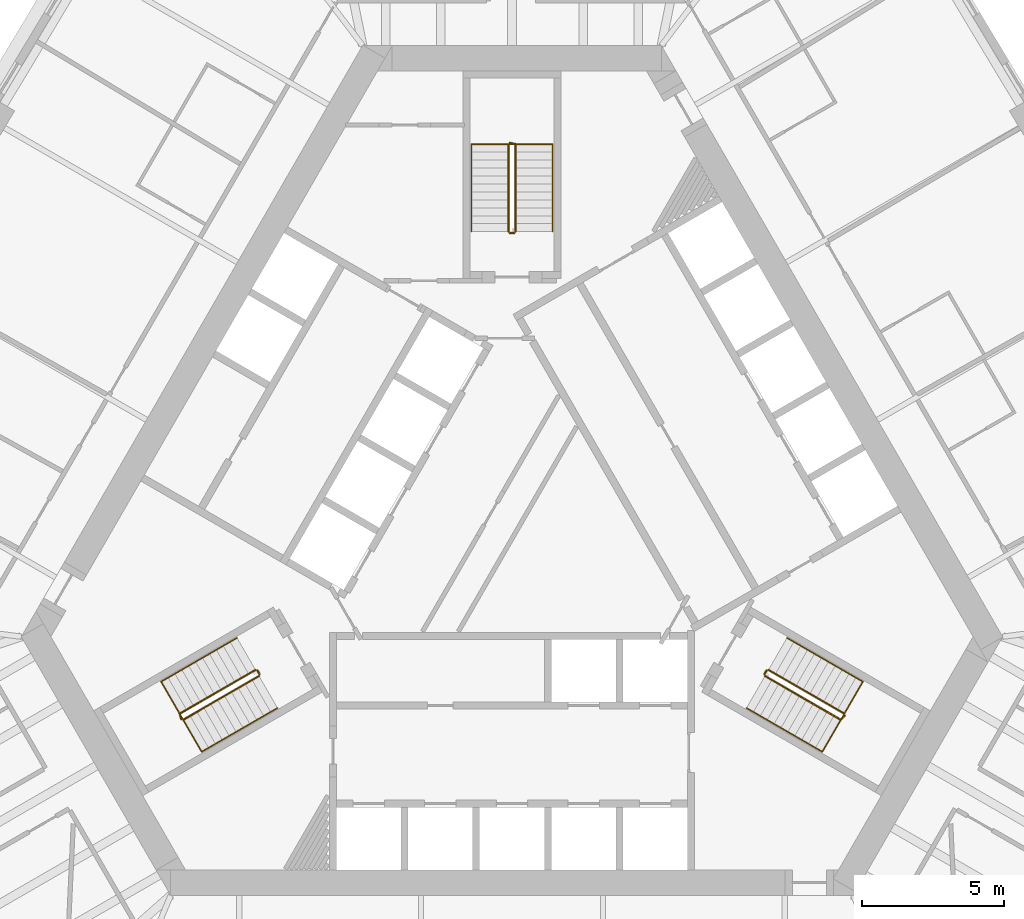
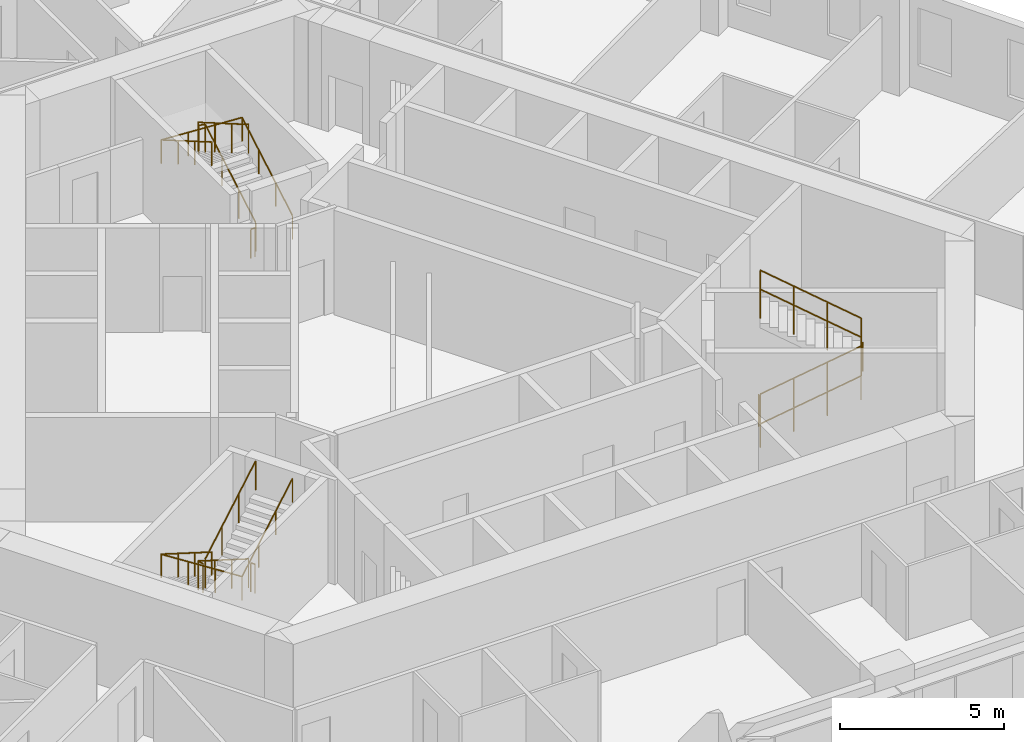
# One storey, part 12 of 12: 12 railings.
"""IFC4 building model written with IfcOpenShell, lengths in metres."""

from ifc_helpers import new_model, si_unit, direction, frame, origin, origin_2d, place, context, subcontext, project, spatial, circle, extrude, material, type_object, element, save


model = new_model("IFC4")

# Units and contexts
model_context = context("Model", 3, precision=1e-05, world=origin(), true_north=direction((0.0, 1.0)))
body_context = subcontext(model_context, "Body", "Model", "MODEL_VIEW")
ifc_project = project(units=[si_unit("LENGTHUNIT", "METRE"), si_unit("AREAUNIT", "SQUARE_METRE"), si_unit("VOLUMEUNIT", "CUBIC_METRE"), si_unit("PLANEANGLEUNIT", "RADIAN"), si_unit("MASSUNIT", "GRAM", prefix="KILO")], contexts=[model_context])

# Site, building, storey
site_placement = place(None, origin())
site = spatial("IfcSite", under=ifc_project, at=site_placement, CompositionType="ELEMENT")
building_placement = place(site_placement, origin())
building = spatial("IfcBuilding", under=site, at=building_placement, Name="Mestral Congress Tower", CompositionType="ELEMENT")
storey_placement = place(building_placement, frame((0.0, 0.0, 70.5)))
storey = spatial("IfcBuildingStorey", under=building, at=storey_placement, Name="L16", CompositionType="ELEMENT", Elevation=70.5)

# Railings
ifc_material_1 = material(Name="Steel balustrade", Category="steel")
railing_type_1 = type_object("IfcRailingType", Name="Stair guard 1100", PredefinedType="GUARDRAIL", material=ifc_material_1)
railing_1_placement = place(storey_placement, frame((8.90087890625, -5.283203125, 0.16259765625)))
element("IfcRailing", 1, at=railing_1_placement, inside=storey, type_object=railing_type_1, Name="L16 ST1 stair guard 1", PredefinedType="GUARDRAIL", context=body_context, shape_type="SweptSolid", body=[
    extrude(circle(Radius=0.02392578125, at=origin_2d()), frame((0.0, 0.0, 1.076171875), z_axis=(0.749019742845, -0.432477486304, 0.501928927906), x_axis=(0.500026652407, 0.866010015463, 0.0)), (0.0, 0.0, 1.0), 3.56103515625),
    extrude(circle(Radius=0.02392578125, at=origin_2d()), frame((2.667236328125, -1.5400390625, 2.86328125), z_axis=(0.695164929852, 0.718850276695, 0.0), x_axis=(-0.718850276695, 0.695164929852, 0.0)), (0.0, 0.0, 1.0), 0.2060546875),
    extrude(circle(Radius=0.02099609375, at=origin_2d()), origin(), (0.0, 0.0, 1.0), 1.052001953125),
    extrude(circle(Radius=0.02099609375, at=origin_2d()), frame((0.88916015625, -0.513427734375, 0.595703125)), (0.0, 0.0, 1.0), 1.052001953125),
    extrude(circle(Radius=0.02099609375, at=origin_2d()), frame((1.778076171875, -1.026611328125, 1.191650390625)), (0.0, 0.0, 1.0), 1.052001953125),
    extrude(circle(Radius=0.02099609375, at=origin_2d()), frame((2.667236328125, -1.5400390625, 1.787353515625)), (0.0, 0.0, 1.0), 1.052001953125),
    extrude(circle(Radius=0.02099609375, at=origin_2d()), frame((2.810546875, -1.391845703125, 1.787353515625)), (0.0, 0.0, 1.0), 1.052001953125),
])
railing_2_placement = place(storey_placement, frame((11.693115234375, -6.606689453125, 2.112548828125)))
element("IfcRailing", 2, at=railing_2_placement, inside=storey, type_object=railing_type_1, Name="L16 ST1 stair guard 2", PredefinedType="GUARDRAIL", context=body_context, shape_type="SweptSolid", body=[
    extrude(circle(Radius=0.02392578125, at=origin_2d()), frame((0.0, 0.0, 1.076171875), z_axis=(-0.749019742845, 0.432477486304, 0.501928927906), x_axis=(-0.500026652407, -0.866010015463, 0.0)), (0.0, 0.0, 1.0), 3.56103515625),
    extrude(circle(Radius=0.02099609375, at=origin_2d()), origin(), (0.0, 0.0, 1.0), 1.052001953125),
    extrude(circle(Radius=0.02099609375, at=origin_2d()), frame((-0.88916015625, 0.513427734375, 0.595703125)), (0.0, 0.0, 1.0), 1.052001953125),
    extrude(circle(Radius=0.02099609375, at=origin_2d()), frame((-1.778076171875, 1.026611328125, 1.191650390625)), (0.0, 0.0, 1.0), 1.052001953125),
    extrude(circle(Radius=0.02099609375, at=origin_2d()), frame((-2.667236328125, 1.5400390625, 1.787353515625)), (0.0, 0.0, 1.0), 1.052001953125),
])
railing_3_placement = place(storey_placement, frame((8.882568359375, -5.21484375, 0.0)))
element("IfcRailing", 3, at=railing_3_placement, inside=storey, type_object=railing_type_1, Name="L16 ST1 stair guard 3", PredefinedType="GUARDRAIL", context=body_context, shape_type="SweptSolid", body=[
    extrude(circle(Radius=0.02392578125, at=origin_2d()), frame((0.0, 0.0, 1.076171875), z_axis=(0.499816412211, 0.866131372301, 0.0), x_axis=(-0.866131372301, 0.499816412211, 0.0)), (0.0, 0.0, 1.0), 0.14990234375),
    extrude(circle(Radius=0.02099609375, at=origin_2d()), origin(), (0.0, 0.0, 1.0), 1.052001953125),
    extrude(circle(Radius=0.02099609375, at=origin_2d()), frame((0.074951171875, 0.1298828125, 0.0)), (0.0, 0.0, 1.0), 1.052001953125),
])
railing_4_placement = place(storey_placement, frame((0.125, 10.35009765625, 0.16259765625)))
element("IfcRailing", 4, at=railing_4_placement, inside=storey, type_object=railing_type_1, Name="L16 ST2 stair guard 1", PredefinedType="GUARDRAIL", context=body_context, shape_type="SweptSolid", body=[
    extrude(circle(Radius=0.02392578125, at=origin_2d()), frame((0.0, 0.0, 1.076171875), z_axis=(0.0, 0.864903211148, 0.501938676878), x_axis=(-1.0, 0.0, 0.0)), (0.0, 0.0, 1.0), 3.560791015625),
    extrude(circle(Radius=0.02392578125, at=origin_2d()), frame((0.0, 3.079833984375, 2.86328125), z_axis=(-0.970072785993, 0.242814311512, 0.0), x_axis=(-0.242814311512, -0.970072785993, 0.0)), (0.0, 0.0, 1.0), 0.2060546875),
    extrude(circle(Radius=0.02099609375, at=origin_2d()), origin(), (0.0, 0.0, 1.0), 1.052001953125),
    extrude(circle(Radius=0.02099609375, at=origin_2d()), frame((0.0, 1.026611328125, 0.595703125)), (0.0, 0.0, 1.0), 1.052001953125),
    extrude(circle(Radius=0.02099609375, at=origin_2d()), frame((0.0, 2.05322265625, 1.191650390625)), (0.0, 0.0, 1.0), 1.052001953125),
    extrude(circle(Radius=0.02099609375, at=origin_2d()), frame((0.0, 3.079833984375, 1.787353515625)), (0.0, 0.0, 1.0), 1.052001953125),
    extrude(circle(Radius=0.02099609375, at=origin_2d()), frame((-0.199951171875, 3.1298828125, 1.787353515625)), (0.0, 0.0, 1.0), 1.052001953125),
])
railing_5_placement = place(storey_placement, frame((-0.125, 13.429931640625, 2.112548828125)))
element("IfcRailing", 5, at=railing_5_placement, inside=storey, type_object=railing_type_1, Name="L16 ST2 stair guard 2", PredefinedType="GUARDRAIL", context=body_context, shape_type="SweptSolid", body=[
    extrude(circle(Radius=0.02392578125, at=origin_2d()), frame((0.0, 0.0, 1.076171875), z_axis=(0.0, -0.864903211148, 0.501938676878), x_axis=(1.0, 0.0, 0.0)), (0.0, 0.0, 1.0), 3.560791015625),
    extrude(circle(Radius=0.02099609375, at=origin_2d()), origin(), (0.0, 0.0, 1.0), 1.052001953125),
    extrude(circle(Radius=0.02099609375, at=origin_2d()), frame((0.0, -1.026611328125, 0.595703125)), (0.0, 0.0, 1.0), 1.052001953125),
    extrude(circle(Radius=0.02099609375, at=origin_2d()), frame((0.0, -2.05322265625, 1.191650390625)), (0.0, 0.0, 1.0), 1.052001953125),
    extrude(circle(Radius=0.02099609375, at=origin_2d()), frame((0.0, -3.079833984375, 1.787353515625)), (0.0, 0.0, 1.0), 1.052001953125),
])
railing_6_placement = place(storey_placement, frame((0.074951171875, 10.300048828125, 0.0)))
element("IfcRailing", 6, at=railing_6_placement, inside=storey, type_object=railing_type_1, Name="L16 ST2 stair guard 3", PredefinedType="GUARDRAIL", context=body_context, shape_type="SweptSolid", body=[
    extrude(circle(Radius=0.02392578125, at=origin_2d()), frame((0.0, 0.0, 1.076171875), z_axis=(-1.0, 0.0, 0.0), x_axis=(0.0, -1.0, 0.0)), (0.0, 0.0, 1.0), 0.14990234375),
    extrude(circle(Radius=0.02099609375, at=origin_2d()), origin(), (0.0, 0.0, 1.0), 1.052001953125),
    extrude(circle(Radius=0.02099609375, at=origin_2d()), frame((-0.14990234375, 0.0, 0.0)), (0.0, 0.0, 1.0), 1.052001953125),
])
railing_7_placement = place(storey_placement, frame((-9.02587890625, -5.066650390625, 0.16259765625)))
element("IfcRailing", 7, at=railing_7_placement, inside=storey, type_object=railing_type_1, Name="L16 ST3 stair guard 1", PredefinedType="GUARDRAIL", context=body_context, shape_type="SweptSolid", body=[
    extrude(circle(Radius=0.02392578125, at=origin_2d()), frame((0.0, 0.0, 1.076171875), z_axis=(-0.749019742845, -0.432477486304, 0.501928927906), x_axis=(0.500026652407, -0.866010015463, 0.0)), (0.0, 0.0, 1.0), 3.56103515625),
    extrude(circle(Radius=0.02392578125, at=origin_2d()), frame((-2.667236328125, -1.5400390625, 2.86328125), z_axis=(0.274721127897, -0.961523947641, 0.0), x_axis=(0.961523947641, 0.274721127897, 0.0)), (0.0, 0.0, 1.0), 0.2060546875),
    extrude(circle(Radius=0.02099609375, at=origin_2d()), origin(), (0.0, 0.0, 1.0), 1.052001953125),
    extrude(circle(Radius=0.02099609375, at=origin_2d()), frame((-0.88916015625, -0.513427734375, 0.595703125)), (0.0, 0.0, 1.0), 1.052001953125),
    extrude(circle(Radius=0.02099609375, at=origin_2d()), frame((-1.778076171875, -1.026611328125, 1.191650390625)), (0.0, 0.0, 1.0), 1.052001953125),
    extrude(circle(Radius=0.02099609375, at=origin_2d()), frame((-2.667236328125, -1.5400390625, 1.787353515625)), (0.0, 0.0, 1.0), 1.052001953125),
    extrude(circle(Radius=0.02099609375, at=origin_2d()), frame((-2.610595703125, -1.73828125, 1.787353515625)), (0.0, 0.0, 1.0), 1.052001953125),
])
railing_8_placement = place(storey_placement, frame((-11.568115234375, -6.8232421875, 2.112548828125)))
element("IfcRailing", 8, at=railing_8_placement, inside=storey, type_object=railing_type_1, Name="L16 ST3 stair guard 2", PredefinedType="GUARDRAIL", context=body_context, shape_type="SweptSolid", body=[
    extrude(circle(Radius=0.02392578125, at=origin_2d()), frame((0.0, 0.0, 1.076171875), z_axis=(0.749019742845, 0.432477486304, 0.501928927906), x_axis=(-0.500026652407, 0.866010015463, 0.0)), (0.0, 0.0, 1.0), 3.56103515625),
    extrude(circle(Radius=0.02099609375, at=origin_2d()), origin(), (0.0, 0.0, 1.0), 1.052001953125),
    extrude(circle(Radius=0.02099609375, at=origin_2d()), frame((0.88916015625, 0.513427734375, 0.595703125)), (0.0, 0.0, 1.0), 1.052001953125),
    extrude(circle(Radius=0.02099609375, at=origin_2d()), frame((1.778076171875, 1.026611328125, 1.191650390625)), (0.0, 0.0, 1.0), 1.052001953125),
    extrude(circle(Radius=0.02099609375, at=origin_2d()), frame((2.667236328125, 1.5400390625, 1.787353515625)), (0.0, 0.0, 1.0), 1.052001953125),
])
railing_9_placement = place(storey_placement, frame((-8.95751953125, -5.0849609375, 0.0)))
element("IfcRailing", 9, at=railing_9_placement, inside=storey, type_object=railing_type_1, Name="L16 ST3 stair guard 3", PredefinedType="GUARDRAIL", context=body_context, shape_type="SweptSolid", body=[
    extrude(circle(Radius=0.02392578125, at=origin_2d()), frame((0.0, 0.0, 1.076171875), z_axis=(0.499816412211, -0.866131372301, 0.0), x_axis=(0.866131372301, 0.499816412211, 0.0)), (0.0, 0.0, 1.0), 0.14990234375),
    extrude(circle(Radius=0.02099609375, at=origin_2d()), origin(), (0.0, 0.0, 1.0), 1.052001953125),
    extrude(circle(Radius=0.02099609375, at=origin_2d()), frame((0.074951171875, -0.1298828125, 0.0)), (0.0, 0.0, 1.0), 1.052001953125),
])
ifc_material_2 = material(Name="Steel handrail", Category="steel")
railing_type_2 = type_object("IfcRailingType", Name="Stair handrail 900", PredefinedType="HANDRAIL", material=ifc_material_2)
railing_10_placement = place(storey_placement, frame((8.2509765625, -6.4091796875, 0.16259765625)))
element("IfcRailing", 10, at=railing_10_placement, inside=storey, type_object=railing_type_2, Name="L16 ST1 stair handrail 1", PredefinedType="HANDRAIL", context=body_context, shape_type="SweptSolid", body=[
    extrude(circle(Radius=0.02392578125, at=origin_2d()), frame((0.0, 0.0, 0.8759765625), z_axis=(0.749041951051, -0.432421746936, 0.501943809945), x_axis=(0.499967199496, 0.866044340336, 0.0)), (0.0, 0.0, 1.0), 3.560791015625),
    extrude(circle(Radius=0.02392578125, at=origin_2d()), frame((2.667236328125, -1.539794921875, 2.6630859375), z_axis=(0.499224505807, 0.864598343191, 0.056961370716), x_axis=(-0.866004402611, 0.500036373335, 0.0)), (0.0, 0.0, 1.0), 2.8544921875),
    extrude(circle(Radius=0.02392578125, at=origin_2d()), frame((4.09228515625, 0.92822265625, 2.82568359375), z_axis=(-0.749049836341, 0.432455278019, 0.501903153199), x_axis=(-0.499992328818, -0.866029832698, 0.0)), (0.0, 0.0, 1.0), 3.56103515625),
    extrude(circle(Radius=0.02099609375, at=origin_2d()), origin(), (0.0, 0.0, 1.0), 0.851806640625),
    extrude(circle(Radius=0.02099609375, at=origin_2d()), frame((0.88916015625, -0.51318359375, 0.595703125)), (0.0, 0.0, 1.0), 0.851806640625),
    extrude(circle(Radius=0.02099609375, at=origin_2d()), frame((1.778076171875, -1.026611328125, 1.191650390625)), (0.0, 0.0, 1.0), 0.851806640625),
    extrude(circle(Radius=0.02099609375, at=origin_2d()), frame((2.667236328125, -1.539794921875, 1.787353515625)), (0.0, 0.0, 1.0), 0.851806640625),
    extrude(circle(Radius=0.02099609375, at=origin_2d()), frame((3.142333984375, -0.717041015625, 1.841552734375)), (0.0, 0.0, 1.0), 0.851806640625),
    extrude(circle(Radius=0.02099609375, at=origin_2d()), frame((3.6171875, 0.10546875, 1.895751953125)), (0.0, 0.0, 1.0), 0.851806640625),
    extrude(circle(Radius=0.02099609375, at=origin_2d()), frame((4.09228515625, 0.92822265625, 1.949951171875)), (0.0, 0.0, 1.0), 0.851806640625),
    extrude(circle(Radius=0.02099609375, at=origin_2d()), frame((3.203125, 1.441650390625, 2.545654296875)), (0.0, 0.0, 1.0), 0.851806640625),
    extrude(circle(Radius=0.02099609375, at=origin_2d()), frame((2.31396484375, 1.954833984375, 3.1416015625)), (0.0, 0.0, 1.0), 0.851806640625),
    extrude(circle(Radius=0.02099609375, at=origin_2d()), frame((1.4248046875, 2.46826171875, 3.7373046875)), (0.0, 0.0, 1.0), 0.851806640625),
])
railing_11_placement = place(storey_placement, frame((1.425048828125, 10.35009765625, 0.16259765625)))
element("IfcRailing", 11, at=railing_11_placement, inside=storey, type_object=railing_type_2, Name="L16 ST2 stair handrail 1", PredefinedType="HANDRAIL", context=body_context, shape_type="SweptSolid", body=[
    extrude(circle(Radius=0.02392578125, at=origin_2d()), frame((0.0, 0.0, 0.8759765625), z_axis=(0.0, 0.864903211148, 0.501938676878), x_axis=(-1.0, 0.0, 0.0)), (0.0, 0.0, 1.0), 3.560791015625),
    extrude(circle(Radius=0.02392578125, at=origin_2d()), frame((0.0, 3.079833984375, 2.6630859375), z_axis=(-0.998376618682, 0.0, 0.056957240709), x_axis=(0.0, -1.0, 0.0)), (0.0, 0.0, 1.0), 2.854736328125),
    extrude(circle(Radius=0.02392578125, at=origin_2d()), frame((-2.85009765625, 3.079833984375, 2.82568359375), z_axis=(0.0, -0.864903211148, 0.501938676878), x_axis=(1.0, 0.0, 0.0)), (0.0, 0.0, 1.0), 3.560791015625),
    extrude(circle(Radius=0.02099609375, at=origin_2d()), origin(), (0.0, 0.0, 1.0), 0.851806640625),
    extrude(circle(Radius=0.02099609375, at=origin_2d()), frame((0.0, 1.026611328125, 0.595703125)), (0.0, 0.0, 1.0), 0.851806640625),
    extrude(circle(Radius=0.02099609375, at=origin_2d()), frame((0.0, 2.05322265625, 1.191650390625)), (0.0, 0.0, 1.0), 0.851806640625),
    extrude(circle(Radius=0.02099609375, at=origin_2d()), frame((0.0, 3.079833984375, 1.787353515625)), (0.0, 0.0, 1.0), 0.851806640625),
    extrude(circle(Radius=0.02099609375, at=origin_2d()), frame((-0.949951171875, 3.079833984375, 1.841552734375)), (0.0, 0.0, 1.0), 0.851806640625),
    extrude(circle(Radius=0.02099609375, at=origin_2d()), frame((-1.900146484375, 3.079833984375, 1.895751953125)), (0.0, 0.0, 1.0), 0.851806640625),
    extrude(circle(Radius=0.02099609375, at=origin_2d()), frame((-2.85009765625, 3.079833984375, 1.949951171875)), (0.0, 0.0, 1.0), 0.851806640625),
    extrude(circle(Radius=0.02099609375, at=origin_2d()), frame((-2.85009765625, 2.05322265625, 2.545654296875)), (0.0, 0.0, 1.0), 0.851806640625),
    extrude(circle(Radius=0.02099609375, at=origin_2d()), frame((-2.85009765625, 1.026611328125, 3.1416015625)), (0.0, 0.0, 1.0), 0.851806640625),
    extrude(circle(Radius=0.02099609375, at=origin_2d()), frame((-2.85009765625, 0.0, 3.7373046875)), (0.0, 0.0, 1.0), 0.851806640625),
])
railing_12_placement = place(storey_placement, frame((-9.67578125, -3.94091796875, 0.16259765625)))
element("IfcRailing", 12, at=railing_12_placement, inside=storey, type_object=railing_type_2, Name="L16 ST3 stair handrail 1", PredefinedType="HANDRAIL", context=body_context, shape_type="SweptSolid", body=[
    extrude(circle(Radius=0.02392578125, at=origin_2d()), frame((0.0, 0.0, 0.8759765625), z_axis=(-0.749049836341, -0.432455278019, 0.501903153199), x_axis=(0.499992328818, -0.866029832698, 0.0)), (0.0, 0.0, 1.0), 3.56103515625),
    extrude(circle(Radius=0.02392578125, at=origin_2d()), frame((-2.66748046875, -1.5400390625, 2.6630859375), z_axis=(0.499224505807, -0.864598343191, 0.056961370716), x_axis=(0.866004402611, 0.500036373335, 0.0)), (0.0, 0.0, 1.0), 2.8544921875),
    extrude(circle(Radius=0.02392578125, at=origin_2d()), frame((-1.242431640625, -4.008056640625, 2.82568359375), z_axis=(0.749041951051, 0.432421746936, 0.501943809945), x_axis=(-0.499967199496, 0.866044340336, 0.0)), (0.0, 0.0, 1.0), 3.560791015625),
    extrude(circle(Radius=0.02099609375, at=origin_2d()), origin(), (0.0, 0.0, 1.0), 0.851806640625),
    extrude(circle(Radius=0.02099609375, at=origin_2d()), frame((-0.88916015625, -0.513427734375, 0.595703125)), (0.0, 0.0, 1.0), 0.851806640625),
    extrude(circle(Radius=0.02099609375, at=origin_2d()), frame((-1.7783203125, -1.026611328125, 1.191650390625)), (0.0, 0.0, 1.0), 0.851806640625),
    extrude(circle(Radius=0.02099609375, at=origin_2d()), frame((-2.66748046875, -1.5400390625, 1.787353515625)), (0.0, 0.0, 1.0), 0.851806640625),
    extrude(circle(Radius=0.02099609375, at=origin_2d()), frame((-2.1923828125, -2.36279296875, 1.841552734375)), (0.0, 0.0, 1.0), 0.851806640625),
    extrude(circle(Radius=0.02099609375, at=origin_2d()), frame((-1.717529296875, -3.185302734375, 1.895751953125)), (0.0, 0.0, 1.0), 0.851806640625),
    extrude(circle(Radius=0.02099609375, at=origin_2d()), frame((-1.242431640625, -4.008056640625, 1.949951171875)), (0.0, 0.0, 1.0), 0.851806640625),
    extrude(circle(Radius=0.02099609375, at=origin_2d()), frame((-0.353271484375, -3.494873046875, 2.545654296875)), (0.0, 0.0, 1.0), 0.851806640625),
    extrude(circle(Radius=0.02099609375, at=origin_2d()), frame((0.53564453125, -2.9814453125, 3.1416015625)), (0.0, 0.0, 1.0), 0.851806640625),
    extrude(circle(Radius=0.02099609375, at=origin_2d()), frame((1.4248046875, -2.46826171875, 3.7373046875)), (0.0, 0.0, 1.0), 0.851806640625),
])

save(model, "model.ifc")
